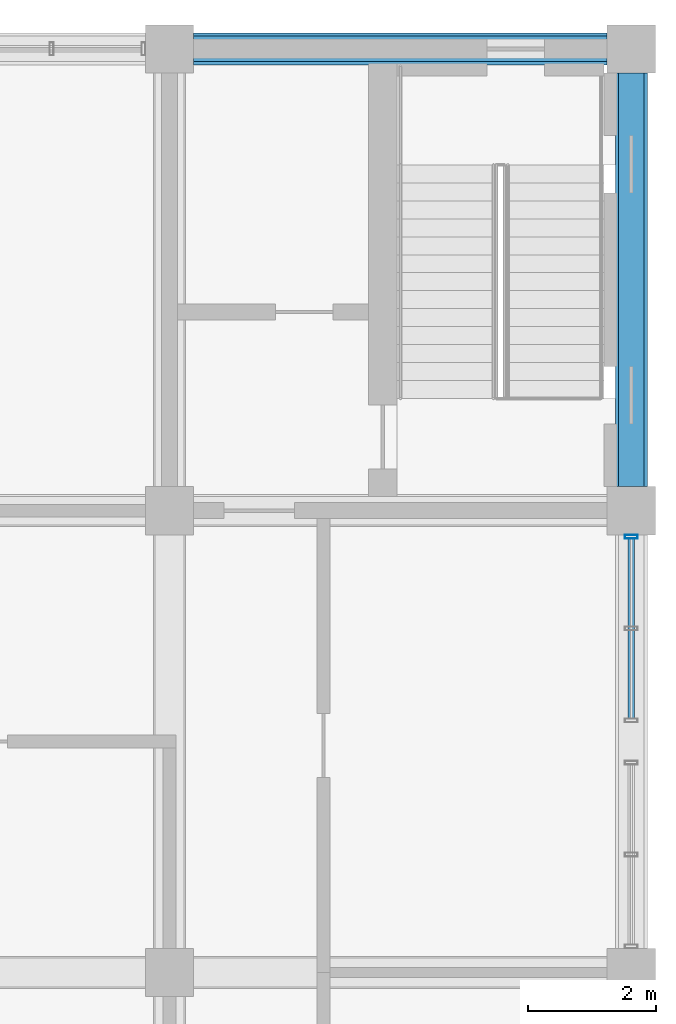
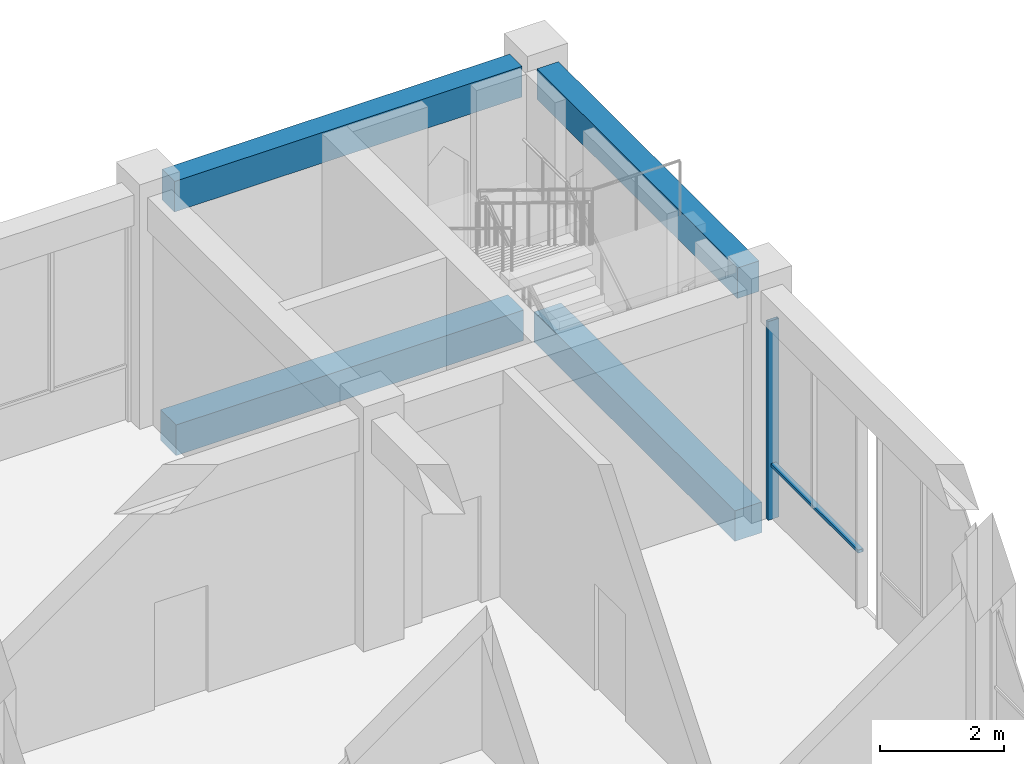
# One storey, part 23 of 39: 4 beams, 2 members, 1 element without a shape of its own.
"""IFC4 building model written with IfcOpenShell, lengths in metres."""

import ifcopenshell
import ifcopenshell.guid

model = None  # the IFC model being written
_history = None  # IfcOwnerHistory: only IFC2X3 demands one
_inside = {}  # id of a spatial element -> (the spatial element, [elements in it])
_under = {}  # id of a project, library or spatial element -> (it, [spatial elements below it])
_declared = {}  # id of a project -> (the project, [libraries it declares])
_typed = {}  # id of a type object -> (the type object, [elements of that type])
_made_of = {}  # id of a material, layer set ... -> (it, [elements and type objects made of it])


def new_model(schema):
    """Start an empty IFC model of exactly this schema.

    Asked for "IFC4X3", IfcOpenShell would pick the latest addendum, in which some entities
    have other attributes; the version numbers below select the first issue.
    IFC2X3 requires an IfcOwnerHistory on every rooted entity: one is made here for all.
    """
    global model, _history
    if schema == "IFC4X3":
        model = ifcopenshell.file(schema_version=(4, 3, 0, 0))
    else:
        model = ifcopenshell.file(schema=schema)
    _inside.clear()
    _under.clear()
    _declared.clear()
    _typed.clear()
    _made_of.clear()
    _history = None
    if model.schema == "IFC2X3":
        org = make("IfcOrganization", Name="unknown")
        user = make(
            "IfcPersonAndOrganization",
            ThePerson=make("IfcPerson", FamilyName="unknown"),
            TheOrganization=org,
        )
        app = make(
            "IfcApplication",
            ApplicationDeveloper=org,
            Version="unknown",
            ApplicationFullName="unknown",
            ApplicationIdentifier="unknown",
        )
        _history = make(
            "IfcOwnerHistory",
            OwningUser=user,
            OwningApplication=app,
            ChangeAction="ADDED",
            CreationDate=0,
        )
    return model


def make(cls, **values):
    """One entity of the class cls with the attributes given. An attribute that is None is left unset."""
    return model.create_entity(
        cls, **{name: value for name, value in values.items() if value is not None}
    )


def rooted(cls, **values):
    """An entity with a GlobalId (a new one), such as an element, a storey or a relation."""
    return make(cls, GlobalId=ifcopenshell.guid.new(), OwnerHistory=_history, **values)


def si_unit(unit_type, name, prefix=None):
    """IfcSIUnit, for example si_unit("LENGTHUNIT", "METRE", prefix="MILLI")."""
    return make("IfcSIUnit", UnitType=unit_type, Prefix=prefix, Name=name)


def assignment(units):
    """IfcUnitAssignment: the units of a project."""
    return None if units is None else make("IfcUnitAssignment", Units=units)


def point(xyz):
    """IfcCartesianPoint."""
    return None if xyz is None else make("IfcCartesianPoint", Coordinates=xyz)


def direction(xyz):
    """IfcDirection."""
    return None if xyz is None else make("IfcDirection", DirectionRatios=xyz)


def frame(location, z_axis=None, x_axis=None):
    """IfcAxis2Placement3D, a coordinate frame: its origin and axes. An axis left out is left unset."""
    return make(
        "IfcAxis2Placement3D",
        Location=point(location),
        Axis=direction(z_axis),
        RefDirection=direction(x_axis),
    )


def frame_2d(location, x_axis=None):
    """IfcAxis2Placement2D, a coordinate frame in the plane: its origin and x axis."""
    return make(
        "IfcAxis2Placement2D", Location=point(location), RefDirection=direction(x_axis)
    )


def origin():
    """The frame at (0, 0, 0) with its axes left unset."""
    return frame((0.0, 0.0, 0.0))


def origin_2d():
    """The frame at (0, 0) in the plane with its x axis left unset."""
    return frame_2d((0.0, 0.0))


def place(relative_to, where):
    """IfcLocalPlacement: puts the frame where relative to a parent placement (None: the world)."""
    return make(
        "IfcLocalPlacement", PlacementRelTo=relative_to, RelativePlacement=where
    )


def context(
    kind, dimensions, precision=None, world=None, true_north=None, identifier=None
):
    """IfcGeometricRepresentationContext, for example the 3D "Model" context."""
    return make(
        "IfcGeometricRepresentationContext",
        ContextIdentifier=identifier,
        ContextType=kind,
        CoordinateSpaceDimension=dimensions,
        Precision=precision,
        WorldCoordinateSystem=world,
        TrueNorth=true_north,
    )


def subcontext(parent, identifier, kind, view, scale=None):
    """IfcGeometricRepresentationSubContext, for example "Body" below "Model"."""
    return make(
        "IfcGeometricRepresentationSubContext",
        ContextIdentifier=identifier,
        ContextType=kind,
        ParentContext=parent,
        TargetScale=scale,
        TargetView=view,
    )


def project(units=None, contexts=None):
    """IfcProject with its units and contexts."""
    return rooted(
        "IfcProject",
        Name="project",
        RepresentationContexts=contexts,
        UnitsInContext=assignment(units),
    )


def spatial(cls, under=None, at=None, **own):
    """A site, building, storey or space (cls), placed at a placement, below another one or the project."""
    s = rooted(cls, ObjectPlacement=at, **own)
    if under is not None:
        _under.setdefault(under.id(), (under, []))[1].append(s)
    return s


def profile(cls, at=None, kind="AREA", **sizes):
    """A parametric profile (cls). Its sizes go by their IFC names, for example OverallWidth=200.0."""
    return make(cls, ProfileType=kind, Position=at, **sizes)


def rectangle(**sizes):
    """IfcRectangleProfileDef."""
    return profile("IfcRectangleProfileDef", **sizes)


def hollow_rectangle(**sizes):
    """IfcRectangleHollowProfileDef."""
    return profile("IfcRectangleHollowProfileDef", **sizes)


def extrude(swept, where, along, depth):
    """IfcExtrudedAreaSolid: the profile swept, set in the frame where, extruded along a direction by depth."""
    return make(
        "IfcExtrudedAreaSolid",
        SweptArea=swept,
        Position=where,
        ExtrudedDirection=direction(along),
        Depth=depth,
    )


def shape(context_of_items, identifier, shape_type, items):
    """IfcShapeRepresentation: the items that make up one representation, for example the "Body"."""
    return make(
        "IfcShapeRepresentation",
        ContextOfItems=context_of_items,
        RepresentationIdentifier=identifier,
        RepresentationType=shape_type,
        Items=items,
    )


def material(Name=None, Category=None):
    """IfcMaterial."""
    return make("IfcMaterial", Name=Name, Category=Category)


def material_profile(
    of_material, cross_section, Name=None, Category=None, Priority=None
):
    """IfcMaterialProfile: a cross section and its material."""
    return make(
        "IfcMaterialProfile",
        Name=Name,
        Material=of_material,
        Profile=cross_section,
        Priority=Priority,
        Category=Category,
    )


def profile_set(profiles, Name=None, composite=None):
    """IfcMaterialProfileSet."""
    return make(
        "IfcMaterialProfileSet",
        Name=Name,
        MaterialProfiles=profiles,
        CompositeProfile=composite,
    )


def made_of(thing, what):
    """Note that an element or type object is made of a material, layer set ...; save() writes the relation."""
    if what is not None:
        _made_of.setdefault(what.id(), (what, []))[1].append(thing)
    return thing


def type_object(cls, material=None, **own):
    """A type object (cls), such as IfcWallType, which elements share."""
    return made_of(rooted(cls, **own), material)


def element(
    cls,
    number,
    at=None,
    inside=None,
    cuts=None,
    type_object=None,
    material=None,
    context=None,
    identifier="Body",
    shape_type=None,
    held_by="IfcProductDefinitionShape",
    body=None,
    shapes=None,
    **own,
):
    """One element of the class cls, such as IfcWall. Its Tag is "e" and its number.

    at: its placement. inside: the storey or other place that contains it. cuts: it is an
    opening in that element (IfcRelVoidsElement). A single representation is given by context,
    identifier, shape_type and body (its items); several are given by shapes. held_by: the class
    of the entity that holds the representations. save() writes the other relations.
    """
    e = rooted(cls, Tag="e%d" % number, ObjectPlacement=at, **own)
    if body is not None:
        shapes = [shape(context, identifier, shape_type, body)]
    if shapes is not None:
        e.Representation = make(held_by, Representations=shapes)
    if inside is not None:
        _inside.setdefault(inside.id(), (inside, []))[1].append(e)
    if cuts is not None:
        rooted(
            "IfcRelVoidsElement", RelatingBuildingElement=cuts, RelatedOpeningElement=e
        )
    if type_object is not None:
        _typed.setdefault(type_object.id(), (type_object, []))[1].append(e)
    return made_of(e, material)


def aggregate(whole, parts):
    """IfcRelAggregates: a whole, such as a stair, and the parts it consists of."""
    return rooted("IfcRelAggregates", RelatingObject=whole, RelatedObjects=parts)


def save(model, path):
    """Write the relations noted so far, then the file.

    IfcRelAggregates (storeys below a building ...), IfcRelContainedInSpatialStructure (elements
    in a storey), IfcRelDefinesByType, IfcRelAssociatesMaterial and IfcRelDeclares: one each for
    every whole, place, type object, material and project.
    """
    for whole, parts in _under.values():
        aggregate(whole, parts)
    for where, things in _inside.values():
        rooted(
            "IfcRelContainedInSpatialStructure",
            RelatedElements=things,
            RelatingStructure=where,
        )
    for kind, things in _typed.values():
        rooted("IfcRelDefinesByType", RelatedObjects=things, RelatingType=kind)
    for what, things in _made_of.values():
        rooted("IfcRelAssociatesMaterial", RelatedObjects=things, RelatingMaterial=what)
    for by, libraries in _declared.values():
        rooted("IfcRelDeclares", RelatingContext=by, RelatedDefinitions=libraries)
    model.write(path)


model = new_model("IFC4")

# Units and contexts
model_context = context("Model", 3, precision=1e-05, world=origin(), true_north=direction((0.0, 1.0)))
body_context = subcontext(model_context, "Body", "Model", "MODEL_VIEW")
ifc_project = project(units=[si_unit("LENGTHUNIT", "METRE"), si_unit("AREAUNIT", "SQUARE_METRE"), si_unit("VOLUMEUNIT", "CUBIC_METRE"), si_unit("PLANEANGLEUNIT", "RADIAN"), si_unit("MASSUNIT", "GRAM", prefix="KILO")], contexts=[model_context])

# Site, building, storey
site_placement = place(None, origin())
site = spatial("IfcSite", under=ifc_project, at=site_placement, CompositionType="ELEMENT")
building_placement = place(site_placement, origin())
building = spatial("IfcBuilding", under=site, at=building_placement, Name="Silangan Lancet Faculty of Sciences", CompositionType="ELEMENT")
storey_placement = place(building_placement, frame((0.0, 0.0, 26.39990234375)))
storey = spatial("IfcBuildingStorey", under=building, at=storey_placement, Name="L05", CompositionType="ELEMENT", Elevation=26.39990234375)

# Beams
ifc_material_1 = material(Name="Concrete C40/50", Category="concrete")
ifc_material_profile_1 = material_profile(ifc_material_1, rectangle(XDim=0.39990234375, YDim=0.60009765625, at=origin_2d()), Name="RC 400x600")
ifc_profile_set_1 = profile_set([ifc_material_profile_1], Name="Concrete C40/50")
beam_type_1 = type_object("IfcBeamType", Name="BEAM RC 400x600", PredefinedType="BEAM", material=ifc_profile_set_1)
beam_1_placement = place(storey_placement, frame((79.574951171875, 57.60009765625, 4.2001953125), z_axis=(1.0, 0.0, 0.0), x_axis=(0.0, 1.0, 0.0)))
element("IfcBeam", 1, at=beam_1_placement, inside=storey, type_object=beam_type_1, Name="RB-L05-12I-13I", PredefinedType="BEAM", context=body_context, shape_type="SweptSolid", body=[
    extrude(rectangle(XDim=0.39990234375, YDim=0.60009765625, at=origin_2d()), origin(), (0.0, 0.0, 1.0), 6.449951171875),
])
beam_2_placement = place(storey_placement, frame((86.39990234375, 50.77490234375, 4.2001953125), z_axis=(0.0, 1.0, 0.0), x_axis=(-1.0, 0.0, 0.0)))
element("IfcBeam", 2, at=beam_2_placement, inside=storey, type_object=beam_type_1, Name="RB-L05-13H-13I", PredefinedType="BEAM", context=body_context, shape_type="SweptSolid", body=[
    extrude(rectangle(XDim=0.39990234375, YDim=0.60009765625, at=origin_2d()), origin(), (0.0, 0.0, 1.0), 6.4501953125),
])
ifc_material_2 = material(Name="Concrete C40/50", Category="concrete")
ifc_material_profile_2 = material_profile(ifc_material_2, rectangle(XDim=0.5, YDim=0.60009765625, at=origin_2d()), Name="RC 500x600")
ifc_profile_set_2 = profile_set([ifc_material_profile_2], Name="Concrete C40/50")
beam_type_2 = type_object("IfcBeamType", Name="BEAM RC 500x600", PredefinedType="BEAM", material=ifc_profile_set_2)
beam_3_placement = place(storey_placement, frame((79.574951171875, 57.60009765625, -0.5498046875), z_axis=(1.0, 0.0, 0.0), x_axis=(0.0, 1.0, 0.0)))
element("IfcBeam", 3, at=beam_3_placement, inside=storey, type_object=beam_type_2, Name="BM-L05-12I-13I", PredefinedType="BEAM", context=body_context, shape_type="SweptSolid", body=[
    extrude(rectangle(XDim=0.5, YDim=0.60009765625, at=origin_2d()), origin(), (0.0, 0.0, 1.0), 6.449951171875),
])
beam_4_placement = place(storey_placement, frame((86.39990234375, 50.77490234375, -0.5498046875), z_axis=(0.0, 1.0, 0.0), x_axis=(-1.0, 0.0, 0.0)))
element("IfcBeam", 4, at=beam_4_placement, inside=storey, type_object=beam_type_2, Name="BM-L05-13H-13I", PredefinedType="BEAM", context=body_context, shape_type="SweptSolid", body=[
    extrude(rectangle(XDim=0.5, YDim=0.60009765625, at=origin_2d()), origin(), (0.0, 0.0, 1.0), 6.4501953125),
])

# Curtain wall, members
ifc_material_3 = material(Name="Aluminium framed curtain wall with insulated glass", Category="aluminium")
curtain_wall_type = type_object("IfcCurtainWallType", Name="CW1 Commons and east block glazing", PredefinedType="NOTDEFINED", material=ifc_material_3)
curtain_wall_placement = place(storey_placement, origin())
curtain_wall = element("IfcCurtainWall", 5, at=curtain_wall_placement, inside=storey, type_object=curtain_wall_type, Name="CW1 East commons L05 bay 12", PredefinedType="NOTDEFINED")
ifc_material_4 = material(Name="Aluminium 6063-T6 extrusion", Category="aluminium")
ifc_material_profile_3 = material_profile(ifc_material_4, hollow_rectangle(XDim=0.06005859375, YDim=0.199951171875, WallThickness=0.00390625, at=origin_2d()), Name="AL BOX 60x200x4")
ifc_profile_set_3 = profile_set([ifc_material_profile_3], Name="Aluminium 6063-T6 extrusion")
member_type_1 = type_object("IfcMemberType", Name="CM1 Mullion 60x200", PredefinedType="MULLION", material=ifc_profile_set_3)
member_1_placement = place(storey_placement, frame((86.39990234375, 49.9951171875, 0.0), z_axis=(0.0, 0.0, 1.0), x_axis=(0.0, 1.0, 0.0)))
member_1 = element("IfcMember", 6, at=member_1_placement, type_object=member_type_1, Name="CW1 East commons L05 bay 12 mullion 2", PredefinedType="MULLION", context=body_context, shape_type="SweptSolid", body=[
    extrude(hollow_rectangle(XDim=0.06005859375, YDim=0.199951171875, WallThickness=0.00390625, at=origin_2d()), origin(), (0.0, 0.0, 1.0), 3.900146484375),
])
ifc_material_5 = material(Name="Aluminium 6063-T6 extrusion", Category="aluminium")
ifc_material_profile_4 = material_profile(ifc_material_5, hollow_rectangle(XDim=0.10009765625, YDim=0.06005859375, WallThickness=0.0029296875, at=origin_2d()), Name="AL BOX 100x60x3")
ifc_profile_set_4 = profile_set([ifc_material_profile_4], Name="Aluminium 6063-T6 extrusion")
member_type_2 = type_object("IfcMemberType", Name="CT1 Transom 100x60", PredefinedType="USERDEFINED", material=ifc_profile_set_4)
member_2_placement = place(storey_placement, frame((86.39990234375, 47.159912109375, 1.070068359375), z_axis=(0.0, 1.0, 0.0), x_axis=(-1.0, 0.0, 0.0)))
member_2 = element("IfcMember", 7, at=member_2_placement, type_object=member_type_2, Name="CW1 East commons L05 bay 12 transom 1", ObjectType="TRANSOM", PredefinedType="USERDEFINED", context=body_context, shape_type="SweptSolid", body=[
    extrude(hollow_rectangle(XDim=0.10009765625, YDim=0.06005859375, WallThickness=0.0029296875, at=origin_2d()), origin(), (0.0, 0.0, 1.0), 2.80517578125),
])
aggregate(curtain_wall, [member_1, member_2])

save(model, "model.ifc")
